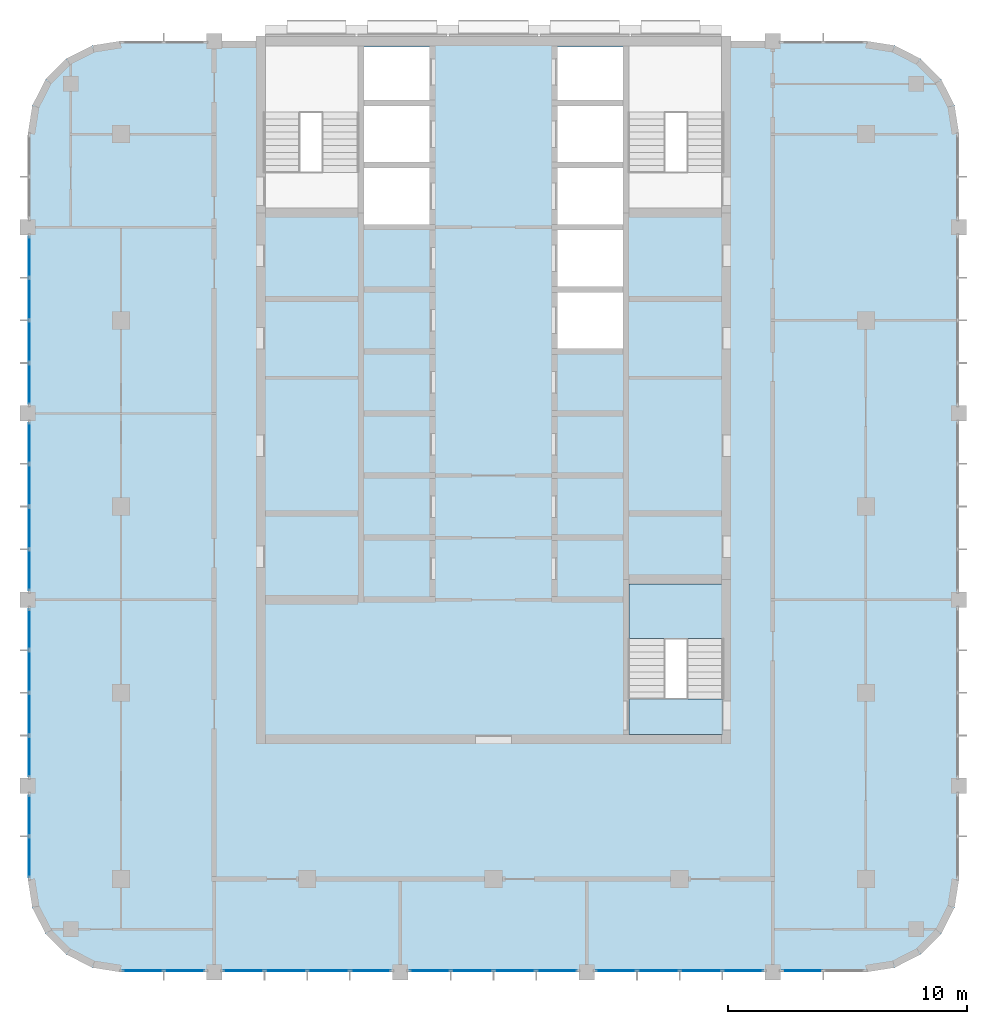
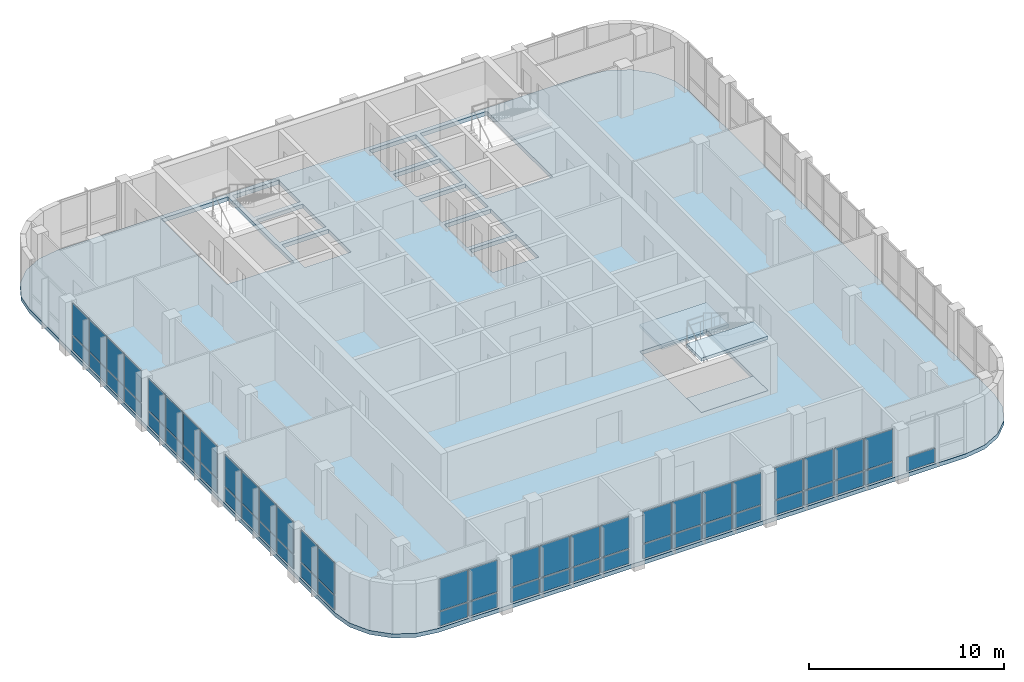
# One storey, part 7 of 17: 57 plates, 4 slabs, 10 elements without a shape of their own.
"""IFC4 building model written with IfcOpenShell, lengths in metres."""

from ifc_helpers import new_model, si_unit, direction, frame, origin, origin_2d, place, context, subcontext, project, spatial, polyline, rectangle, outline, extrude, material, layer, layer_set, type_object, element, aggregate, save


model = new_model("IFC4")

# Units and contexts
model_context = context("Model", 3, precision=1e-05, world=origin(), true_north=direction((0.0, 1.0)))
body_context = subcontext(model_context, "Body", "Model", "MODEL_VIEW")
ifc_project = project(units=[si_unit("LENGTHUNIT", "METRE"), si_unit("AREAUNIT", "SQUARE_METRE"), si_unit("VOLUMEUNIT", "CUBIC_METRE"), si_unit("PLANEANGLEUNIT", "RADIAN"), si_unit("MASSUNIT", "GRAM", prefix="KILO")], contexts=[model_context])

# Site, building, storey
site_placement = place(None, origin())
site = spatial("IfcSite", under=ifc_project, at=site_placement, CompositionType="ELEMENT")
building_placement = place(site_placement, origin())
building = spatial("IfcBuilding", under=site, at=building_placement, Name="Ludao Terraces", CompositionType="ELEMENT")
storey_placement = place(building_placement, frame((0.0, 0.0, 263.0)))
storey = spatial("IfcBuildingStorey", under=building, at=storey_placement, Name="L72", CompositionType="ELEMENT", Elevation=263.0)

# Curtain wall, plates
ifc_material_1 = material(Name="Aluminium curtain wall with fritted glass", Category="aluminium")
curtain_wall_type = type_object("IfcCurtainWallType", Name="ENV CW4 lounge glazing", PredefinedType="NOTDEFINED", material=ifc_material_1)
curtain_wall_1_placement = place(storey_placement, origin())
curtain_wall_1 = element("IfcCurtainWall", 1, at=curtain_wall_1_placement, inside=storey, type_object=curtain_wall_type, Name="Sky lounge glazing L72 S1", PredefinedType="NOTDEFINED")
ifc_material_2 = material(Name="Fritted glass panel", Category="glass")
ifc_layer_1 = layer(ifc_material_2, 0.035888671875)
ifc_layer_set_1 = layer_set([ifc_layer_1], Name="ENV CW4 glass panel")
plate_type = type_object("IfcPlateType", Name="ENV CW4 glass panel", PredefinedType="CURTAIN_PANEL", material=ifc_layer_set_1)
plate_1_placement = place(storey_placement, frame((70.313720703125, 45.56005859375, 0.080078125), z_axis=(0.0, 0.0, 1.0), x_axis=(1.0, 0.0, 0.0)))
plate_1 = element("IfcPlate", 2, at=plate_1_placement, type_object=plate_type, Name="CW4 panel 1.1", PredefinedType="CURTAIN_PANEL", context=body_context, shape_type="SweptSolid", body=[
    extrude(rectangle(XDim=1.66748046875, YDim=0.035888671875, at=origin_2d()), origin(), (0.0, 0.0, 1.0), 0.8798828125),
])
plate_2_placement = place(storey_placement, frame((70.313720703125, 45.56005859375, 1.0400390625), z_axis=(0.0, 0.0, 1.0), x_axis=(1.0, 0.0, 0.0)))
plate_2 = element("IfcPlate", 3, at=plate_2_placement, type_object=plate_type, Name="CW4 panel 1.2", PredefinedType="CURTAIN_PANEL", context=body_context, shape_type="SweptSolid", body=[
    extrude(rectangle(XDim=1.66748046875, YDim=0.035888671875, at=origin_2d()), origin(), (0.0, 0.0, 1.0), 1.97998046875),
])
plate_3_placement = place(storey_placement, frame((72.061279296875, 45.56005859375, 0.080078125), z_axis=(0.0, 0.0, 1.0), x_axis=(1.0, 0.0, 0.0)))
plate_3 = element("IfcPlate", 4, at=plate_3_placement, type_object=plate_type, Name="CW4 panel 2.1", PredefinedType="CURTAIN_PANEL", context=body_context, shape_type="SweptSolid", body=[
    extrude(rectangle(XDim=1.66748046875, YDim=0.035888671875, at=origin_2d()), origin(), (0.0, 0.0, 1.0), 0.8798828125),
])
plate_4_placement = place(storey_placement, frame((72.061279296875, 45.56005859375, 1.0400390625), z_axis=(0.0, 0.0, 1.0), x_axis=(1.0, 0.0, 0.0)))
plate_4 = element("IfcPlate", 5, at=plate_4_placement, type_object=plate_type, Name="CW4 panel 2.2", PredefinedType="CURTAIN_PANEL", context=body_context, shape_type="SweptSolid", body=[
    extrude(rectangle(XDim=1.66748046875, YDim=0.035888671875, at=origin_2d()), origin(), (0.0, 0.0, 1.0), 1.97998046875),
])
aggregate(curtain_wall_1, [plate_1, plate_2, plate_3, plate_4])

curtain_wall_2_placement = place(storey_placement, origin())
curtain_wall_2 = element("IfcCurtainWall", 6, at=curtain_wall_2_placement, inside=storey, type_object=curtain_wall_type, Name="Sky lounge glazing L72 S2", PredefinedType="NOTDEFINED")
plate_5_placement = place(storey_placement, frame((74.538818359375, 45.56005859375, 0.080078125), z_axis=(0.0, 0.0, 1.0), x_axis=(1.0, 0.0, 0.0)))
plate_5 = element("IfcPlate", 7, at=plate_5_placement, type_object=plate_type, Name="CW4 panel 1.1", PredefinedType="CURTAIN_PANEL", context=body_context, shape_type="SweptSolid", body=[
    extrude(rectangle(XDim=1.66748046875, YDim=0.035888671875, at=origin_2d()), origin(), (0.0, 0.0, 1.0), 0.8798828125),
])
plate_6_placement = place(storey_placement, frame((74.538818359375, 45.56005859375, 1.0400390625), z_axis=(0.0, 0.0, 1.0), x_axis=(1.0, 0.0, 0.0)))
plate_6 = element("IfcPlate", 8, at=plate_6_placement, type_object=plate_type, Name="CW4 panel 1.2", PredefinedType="CURTAIN_PANEL", context=body_context, shape_type="SweptSolid", body=[
    extrude(rectangle(XDim=1.66748046875, YDim=0.035888671875, at=origin_2d()), origin(), (0.0, 0.0, 1.0), 1.97998046875),
])
plate_7_placement = place(storey_placement, frame((76.30615234375, 45.56005859375, 0.080078125), z_axis=(0.0, 0.0, 1.0), x_axis=(1.0, 0.0, 0.0)))
plate_7 = element("IfcPlate", 9, at=plate_7_placement, type_object=plate_type, Name="CW4 panel 2.1", PredefinedType="CURTAIN_PANEL", context=body_context, shape_type="SweptSolid", body=[
    extrude(rectangle(XDim=1.70751953125, YDim=0.035888671875, at=origin_2d()), origin(), (0.0, 0.0, 1.0), 0.8798828125),
])
plate_8_placement = place(storey_placement, frame((76.30615234375, 45.56005859375, 1.0400390625), z_axis=(0.0, 0.0, 1.0), x_axis=(1.0, 0.0, 0.0)))
plate_8 = element("IfcPlate", 10, at=plate_8_placement, type_object=plate_type, Name="CW4 panel 2.2", PredefinedType="CURTAIN_PANEL", context=body_context, shape_type="SweptSolid", body=[
    extrude(rectangle(XDim=1.70751953125, YDim=0.035888671875, at=origin_2d()), origin(), (0.0, 0.0, 1.0), 1.97998046875),
])
plate_9_placement = place(storey_placement, frame((78.09375, 45.56005859375, 0.080078125), z_axis=(0.0, 0.0, 1.0), x_axis=(1.0, 0.0, 0.0)))
plate_9 = element("IfcPlate", 11, at=plate_9_placement, type_object=plate_type, Name="CW4 panel 3.1", PredefinedType="CURTAIN_PANEL", context=body_context, shape_type="SweptSolid", body=[
    extrude(rectangle(XDim=1.70751953125, YDim=0.035888671875, at=origin_2d()), origin(), (0.0, 0.0, 1.0), 0.8798828125),
])
plate_10_placement = place(storey_placement, frame((78.09375, 45.56005859375, 1.0400390625), z_axis=(0.0, 0.0, 1.0), x_axis=(1.0, 0.0, 0.0)))
plate_10 = element("IfcPlate", 12, at=plate_10_placement, type_object=plate_type, Name="CW4 panel 3.2", PredefinedType="CURTAIN_PANEL", context=body_context, shape_type="SweptSolid", body=[
    extrude(rectangle(XDim=1.70751953125, YDim=0.035888671875, at=origin_2d()), origin(), (0.0, 0.0, 1.0), 1.97998046875),
])
plate_11_placement = place(storey_placement, frame((79.861328125, 45.56005859375, 0.080078125), z_axis=(0.0, 0.0, 1.0), x_axis=(1.0, 0.0, 0.0)))
plate_11 = element("IfcPlate", 13, at=plate_11_placement, type_object=plate_type, Name="CW4 panel 4.1", PredefinedType="CURTAIN_PANEL", context=body_context, shape_type="SweptSolid", body=[
    extrude(rectangle(XDim=1.66748046875, YDim=0.035888671875, at=origin_2d()), origin(), (0.0, 0.0, 1.0), 0.8798828125),
])
plate_12_placement = place(storey_placement, frame((79.861328125, 45.56005859375, 1.0400390625), z_axis=(0.0, 0.0, 1.0), x_axis=(1.0, 0.0, 0.0)))
plate_12 = element("IfcPlate", 14, at=plate_12_placement, type_object=plate_type, Name="CW4 panel 4.2", PredefinedType="CURTAIN_PANEL", context=body_context, shape_type="SweptSolid", body=[
    extrude(rectangle(XDim=1.66748046875, YDim=0.035888671875, at=origin_2d()), origin(), (0.0, 0.0, 1.0), 1.97998046875),
])
aggregate(curtain_wall_2, [plate_5, plate_6, plate_7, plate_8, plate_9, plate_10, plate_11, plate_12])

curtain_wall_3_placement = place(storey_placement, origin())
curtain_wall_3 = element("IfcCurtainWall", 15, at=curtain_wall_3_placement, inside=storey, type_object=curtain_wall_type, Name="Sky lounge glazing L72 S3", PredefinedType="NOTDEFINED")
plate_13_placement = place(storey_placement, frame((82.3388671875, 45.56005859375, 0.080078125), z_axis=(0.0, 0.0, 1.0), x_axis=(1.0, 0.0, 0.0)))
plate_13 = element("IfcPlate", 16, at=plate_13_placement, type_object=plate_type, Name="CW4 panel 1.1", PredefinedType="CURTAIN_PANEL", context=body_context, shape_type="SweptSolid", body=[
    extrude(rectangle(XDim=1.66748046875, YDim=0.035888671875, at=origin_2d()), origin(), (0.0, 0.0, 1.0), 0.8798828125),
])
plate_14_placement = place(storey_placement, frame((82.3388671875, 45.56005859375, 1.0400390625), z_axis=(0.0, 0.0, 1.0), x_axis=(1.0, 0.0, 0.0)))
plate_14 = element("IfcPlate", 17, at=plate_14_placement, type_object=plate_type, Name="CW4 panel 1.2", PredefinedType="CURTAIN_PANEL", context=body_context, shape_type="SweptSolid", body=[
    extrude(rectangle(XDim=1.66748046875, YDim=0.035888671875, at=origin_2d()), origin(), (0.0, 0.0, 1.0), 1.97998046875),
])
plate_15_placement = place(storey_placement, frame((84.106201171875, 45.56005859375, 0.080078125), z_axis=(0.0, 0.0, 1.0), x_axis=(1.0, 0.0, 0.0)))
plate_15 = element("IfcPlate", 18, at=plate_15_placement, type_object=plate_type, Name="CW4 panel 2.1", PredefinedType="CURTAIN_PANEL", context=body_context, shape_type="SweptSolid", body=[
    extrude(rectangle(XDim=1.70751953125, YDim=0.035888671875, at=origin_2d()), origin(), (0.0, 0.0, 1.0), 0.8798828125),
])
plate_16_placement = place(storey_placement, frame((84.106201171875, 45.56005859375, 1.0400390625), z_axis=(0.0, 0.0, 1.0), x_axis=(1.0, 0.0, 0.0)))
plate_16 = element("IfcPlate", 19, at=plate_16_placement, type_object=plate_type, Name="CW4 panel 2.2", PredefinedType="CURTAIN_PANEL", context=body_context, shape_type="SweptSolid", body=[
    extrude(rectangle(XDim=1.70751953125, YDim=0.035888671875, at=origin_2d()), origin(), (0.0, 0.0, 1.0), 1.97998046875),
])
plate_17_placement = place(storey_placement, frame((85.893798828125, 45.56005859375, 0.080078125), z_axis=(0.0, 0.0, 1.0), x_axis=(1.0, 0.0, 0.0)))
plate_17 = element("IfcPlate", 20, at=plate_17_placement, type_object=plate_type, Name="CW4 panel 3.1", PredefinedType="CURTAIN_PANEL", context=body_context, shape_type="SweptSolid", body=[
    extrude(rectangle(XDim=1.70751953125, YDim=0.035888671875, at=origin_2d()), origin(), (0.0, 0.0, 1.0), 0.8798828125),
])
plate_18_placement = place(storey_placement, frame((85.893798828125, 45.56005859375, 1.0400390625), z_axis=(0.0, 0.0, 1.0), x_axis=(1.0, 0.0, 0.0)))
plate_18 = element("IfcPlate", 21, at=plate_18_placement, type_object=plate_type, Name="CW4 panel 3.2", PredefinedType="CURTAIN_PANEL", context=body_context, shape_type="SweptSolid", body=[
    extrude(rectangle(XDim=1.70751953125, YDim=0.035888671875, at=origin_2d()), origin(), (0.0, 0.0, 1.0), 1.97998046875),
])
plate_19_placement = place(storey_placement, frame((87.6611328125, 45.56005859375, 0.080078125), z_axis=(0.0, 0.0, 1.0), x_axis=(1.0, 0.0, 0.0)))
plate_19 = element("IfcPlate", 22, at=plate_19_placement, type_object=plate_type, Name="CW4 panel 4.1", PredefinedType="CURTAIN_PANEL", context=body_context, shape_type="SweptSolid", body=[
    extrude(rectangle(XDim=1.66748046875, YDim=0.035888671875, at=origin_2d()), origin(), (0.0, 0.0, 1.0), 0.8798828125),
])
plate_20_placement = place(storey_placement, frame((87.6611328125, 45.56005859375, 1.0400390625), z_axis=(0.0, 0.0, 1.0), x_axis=(1.0, 0.0, 0.0)))
plate_20 = element("IfcPlate", 23, at=plate_20_placement, type_object=plate_type, Name="CW4 panel 4.2", PredefinedType="CURTAIN_PANEL", context=body_context, shape_type="SweptSolid", body=[
    extrude(rectangle(XDim=1.66748046875, YDim=0.035888671875, at=origin_2d()), origin(), (0.0, 0.0, 1.0), 1.97998046875),
])
aggregate(curtain_wall_3, [plate_13, plate_14, plate_15, plate_16, plate_17, plate_18, plate_19, plate_20])

curtain_wall_4_placement = place(storey_placement, origin())
curtain_wall_4 = element("IfcCurtainWall", 24, at=curtain_wall_4_placement, inside=storey, type_object=curtain_wall_type, Name="Sky lounge glazing L72 S4", PredefinedType="NOTDEFINED")
plate_21_placement = place(storey_placement, frame((90.138671875, 45.56005859375, 0.080078125), z_axis=(0.0, 0.0, 1.0), x_axis=(1.0, 0.0, 0.0)))
plate_21 = element("IfcPlate", 25, at=plate_21_placement, type_object=plate_type, Name="CW4 panel 1.1", PredefinedType="CURTAIN_PANEL", context=body_context, shape_type="SweptSolid", body=[
    extrude(rectangle(XDim=1.66748046875, YDim=0.035888671875, at=origin_2d()), origin(), (0.0, 0.0, 1.0), 0.8798828125),
])
plate_22_placement = place(storey_placement, frame((90.138671875, 45.56005859375, 1.0400390625), z_axis=(0.0, 0.0, 1.0), x_axis=(1.0, 0.0, 0.0)))
plate_22 = element("IfcPlate", 26, at=plate_22_placement, type_object=plate_type, Name="CW4 panel 1.2", PredefinedType="CURTAIN_PANEL", context=body_context, shape_type="SweptSolid", body=[
    extrude(rectangle(XDim=1.66748046875, YDim=0.035888671875, at=origin_2d()), origin(), (0.0, 0.0, 1.0), 1.97998046875),
])
plate_23_placement = place(storey_placement, frame((91.90625, 45.56005859375, 0.080078125), z_axis=(0.0, 0.0, 1.0), x_axis=(1.0, 0.0, 0.0)))
plate_23 = element("IfcPlate", 27, at=plate_23_placement, type_object=plate_type, Name="CW4 panel 2.1", PredefinedType="CURTAIN_PANEL", context=body_context, shape_type="SweptSolid", body=[
    extrude(rectangle(XDim=1.70751953125, YDim=0.035888671875, at=origin_2d()), origin(), (0.0, 0.0, 1.0), 0.8798828125),
])
plate_24_placement = place(storey_placement, frame((91.90625, 45.56005859375, 1.0400390625), z_axis=(0.0, 0.0, 1.0), x_axis=(1.0, 0.0, 0.0)))
plate_24 = element("IfcPlate", 28, at=plate_24_placement, type_object=plate_type, Name="CW4 panel 2.2", PredefinedType="CURTAIN_PANEL", context=body_context, shape_type="SweptSolid", body=[
    extrude(rectangle(XDim=1.70751953125, YDim=0.035888671875, at=origin_2d()), origin(), (0.0, 0.0, 1.0), 1.97998046875),
])
plate_25_placement = place(storey_placement, frame((93.69384765625, 45.56005859375, 0.080078125), z_axis=(0.0, 0.0, 1.0), x_axis=(1.0, 0.0, 0.0)))
plate_25 = element("IfcPlate", 29, at=plate_25_placement, type_object=plate_type, Name="CW4 panel 3.1", PredefinedType="CURTAIN_PANEL", context=body_context, shape_type="SweptSolid", body=[
    extrude(rectangle(XDim=1.70751953125, YDim=0.035888671875, at=origin_2d()), origin(), (0.0, 0.0, 1.0), 0.8798828125),
])
plate_26_placement = place(storey_placement, frame((93.69384765625, 45.56005859375, 1.0400390625), z_axis=(0.0, 0.0, 1.0), x_axis=(1.0, 0.0, 0.0)))
plate_26 = element("IfcPlate", 30, at=plate_26_placement, type_object=plate_type, Name="CW4 panel 3.2", PredefinedType="CURTAIN_PANEL", context=body_context, shape_type="SweptSolid", body=[
    extrude(rectangle(XDim=1.70751953125, YDim=0.035888671875, at=origin_2d()), origin(), (0.0, 0.0, 1.0), 1.97998046875),
])
plate_27_placement = place(storey_placement, frame((95.461181640625, 45.56005859375, 0.080078125), z_axis=(0.0, 0.0, 1.0), x_axis=(1.0, 0.0, 0.0)))
plate_27 = element("IfcPlate", 31, at=plate_27_placement, type_object=plate_type, Name="CW4 panel 4.1", PredefinedType="CURTAIN_PANEL", context=body_context, shape_type="SweptSolid", body=[
    extrude(rectangle(XDim=1.66748046875, YDim=0.035888671875, at=origin_2d()), origin(), (0.0, 0.0, 1.0), 0.8798828125),
])
plate_28_placement = place(storey_placement, frame((95.461181640625, 45.56005859375, 1.0400390625), z_axis=(0.0, 0.0, 1.0), x_axis=(1.0, 0.0, 0.0)))
plate_28 = element("IfcPlate", 32, at=plate_28_placement, type_object=plate_type, Name="CW4 panel 4.2", PredefinedType="CURTAIN_PANEL", context=body_context, shape_type="SweptSolid", body=[
    extrude(rectangle(XDim=1.66748046875, YDim=0.035888671875, at=origin_2d()), origin(), (0.0, 0.0, 1.0), 1.97998046875),
])
aggregate(curtain_wall_4, [plate_21, plate_22, plate_23, plate_24, plate_25, plate_26, plate_27, plate_28])

# Curtain wall, plate
curtain_wall_5_placement = place(storey_placement, origin())
curtain_wall_5 = element("IfcCurtainWall", 33, at=curtain_wall_5_placement, inside=storey, type_object=curtain_wall_type, Name="Sky lounge glazing L72 S5", PredefinedType="NOTDEFINED")
plate_29_placement = place(storey_placement, frame((97.938720703125, 45.56005859375, 0.080078125), z_axis=(0.0, 0.0, 1.0), x_axis=(1.0, 0.0, 0.0)))
plate_29 = element("IfcPlate", 34, at=plate_29_placement, type_object=plate_type, Name="CW4 panel 1.1", PredefinedType="CURTAIN_PANEL", context=body_context, shape_type="SweptSolid", body=[
    extrude(rectangle(XDim=1.66748046875, YDim=0.035888671875, at=origin_2d()), origin(), (0.0, 0.0, 1.0), 0.8798828125),
])
aggregate(curtain_wall_5, [plate_29])

# Curtain wall, plates
curtain_wall_6_placement = place(storey_placement, origin())
curtain_wall_6 = element("IfcCurtainWall", 35, at=curtain_wall_6_placement, inside=storey, type_object=curtain_wall_type, Name="Sky lounge glazing L72 W1", PredefinedType="NOTDEFINED")
plate_30_placement = place(storey_placement, frame((65.56005859375, 50.313720703125, 0.080078125), z_axis=(0.0, 0.0, 1.0), x_axis=(0.0, 1.0, 0.0)))
plate_30 = element("IfcPlate", 36, at=plate_30_placement, type_object=plate_type, Name="CW4 panel 1.1", PredefinedType="CURTAIN_PANEL", context=body_context, shape_type="SweptSolid", body=[
    extrude(rectangle(XDim=1.66748046875, YDim=0.035888671875, at=origin_2d()), origin(), (0.0, 0.0, 1.0), 0.8798828125),
])
plate_31_placement = place(storey_placement, frame((65.56005859375, 50.313720703125, 1.0400390625), z_axis=(0.0, 0.0, 1.0), x_axis=(0.0, 1.0, 0.0)))
plate_31 = element("IfcPlate", 37, at=plate_31_placement, type_object=plate_type, Name="CW4 panel 1.2", PredefinedType="CURTAIN_PANEL", context=body_context, shape_type="SweptSolid", body=[
    extrude(rectangle(XDim=1.66748046875, YDim=0.035888671875, at=origin_2d()), origin(), (0.0, 0.0, 1.0), 1.97998046875),
])
plate_32_placement = place(storey_placement, frame((65.56005859375, 52.061279296875, 0.080078125), z_axis=(0.0, 0.0, 1.0), x_axis=(0.0, 1.0, 0.0)))
plate_32 = element("IfcPlate", 38, at=plate_32_placement, type_object=plate_type, Name="CW4 panel 2.1", PredefinedType="CURTAIN_PANEL", context=body_context, shape_type="SweptSolid", body=[
    extrude(rectangle(XDim=1.66748046875, YDim=0.035888671875, at=origin_2d()), origin(), (0.0, 0.0, 1.0), 0.8798828125),
])
plate_33_placement = place(storey_placement, frame((65.56005859375, 52.061279296875, 1.0400390625), z_axis=(0.0, 0.0, 1.0), x_axis=(0.0, 1.0, 0.0)))
plate_33 = element("IfcPlate", 39, at=plate_33_placement, type_object=plate_type, Name="CW4 panel 2.2", PredefinedType="CURTAIN_PANEL", context=body_context, shape_type="SweptSolid", body=[
    extrude(rectangle(XDim=1.66748046875, YDim=0.035888671875, at=origin_2d()), origin(), (0.0, 0.0, 1.0), 1.97998046875),
])
aggregate(curtain_wall_6, [plate_30, plate_31, plate_32, plate_33])

curtain_wall_7_placement = place(storey_placement, origin())
curtain_wall_7 = element("IfcCurtainWall", 40, at=curtain_wall_7_placement, inside=storey, type_object=curtain_wall_type, Name="Sky lounge glazing L72 W2", PredefinedType="NOTDEFINED")
plate_34_placement = place(storey_placement, frame((65.56005859375, 54.538818359375, 0.080078125), z_axis=(0.0, 0.0, 1.0), x_axis=(0.0, 1.0, 0.0)))
plate_34 = element("IfcPlate", 41, at=plate_34_placement, type_object=plate_type, Name="CW4 panel 1.1", PredefinedType="CURTAIN_PANEL", context=body_context, shape_type="SweptSolid", body=[
    extrude(rectangle(XDim=1.66748046875, YDim=0.035888671875, at=origin_2d()), origin(), (0.0, 0.0, 1.0), 0.8798828125),
])
plate_35_placement = place(storey_placement, frame((65.56005859375, 54.538818359375, 1.0400390625), z_axis=(0.0, 0.0, 1.0), x_axis=(0.0, 1.0, 0.0)))
plate_35 = element("IfcPlate", 42, at=plate_35_placement, type_object=plate_type, Name="CW4 panel 1.2", PredefinedType="CURTAIN_PANEL", context=body_context, shape_type="SweptSolid", body=[
    extrude(rectangle(XDim=1.66748046875, YDim=0.035888671875, at=origin_2d()), origin(), (0.0, 0.0, 1.0), 1.97998046875),
])
plate_36_placement = place(storey_placement, frame((65.56005859375, 56.30615234375, 0.080078125), z_axis=(0.0, 0.0, 1.0), x_axis=(0.0, 1.0, 0.0)))
plate_36 = element("IfcPlate", 43, at=plate_36_placement, type_object=plate_type, Name="CW4 panel 2.1", PredefinedType="CURTAIN_PANEL", context=body_context, shape_type="SweptSolid", body=[
    extrude(rectangle(XDim=1.70751953125, YDim=0.035888671875, at=origin_2d()), origin(), (0.0, 0.0, 1.0), 0.8798828125),
])
plate_37_placement = place(storey_placement, frame((65.56005859375, 56.30615234375, 1.0400390625), z_axis=(0.0, 0.0, 1.0), x_axis=(0.0, 1.0, 0.0)))
plate_37 = element("IfcPlate", 44, at=plate_37_placement, type_object=plate_type, Name="CW4 panel 2.2", PredefinedType="CURTAIN_PANEL", context=body_context, shape_type="SweptSolid", body=[
    extrude(rectangle(XDim=1.70751953125, YDim=0.035888671875, at=origin_2d()), origin(), (0.0, 0.0, 1.0), 1.97998046875),
])
plate_38_placement = place(storey_placement, frame((65.56005859375, 58.09375, 0.080078125), z_axis=(0.0, 0.0, 1.0), x_axis=(0.0, 1.0, 0.0)))
plate_38 = element("IfcPlate", 45, at=plate_38_placement, type_object=plate_type, Name="CW4 panel 3.1", PredefinedType="CURTAIN_PANEL", context=body_context, shape_type="SweptSolid", body=[
    extrude(rectangle(XDim=1.70751953125, YDim=0.035888671875, at=origin_2d()), origin(), (0.0, 0.0, 1.0), 0.8798828125),
])
plate_39_placement = place(storey_placement, frame((65.56005859375, 58.09375, 1.0400390625), z_axis=(0.0, 0.0, 1.0), x_axis=(0.0, 1.0, 0.0)))
plate_39 = element("IfcPlate", 46, at=plate_39_placement, type_object=plate_type, Name="CW4 panel 3.2", PredefinedType="CURTAIN_PANEL", context=body_context, shape_type="SweptSolid", body=[
    extrude(rectangle(XDim=1.70751953125, YDim=0.035888671875, at=origin_2d()), origin(), (0.0, 0.0, 1.0), 1.97998046875),
])
plate_40_placement = place(storey_placement, frame((65.56005859375, 59.861328125, 0.080078125), z_axis=(0.0, 0.0, 1.0), x_axis=(0.0, 1.0, 0.0)))
plate_40 = element("IfcPlate", 47, at=plate_40_placement, type_object=plate_type, Name="CW4 panel 4.1", PredefinedType="CURTAIN_PANEL", context=body_context, shape_type="SweptSolid", body=[
    extrude(rectangle(XDim=1.66748046875, YDim=0.035888671875, at=origin_2d()), origin(), (0.0, 0.0, 1.0), 0.8798828125),
])
plate_41_placement = place(storey_placement, frame((65.56005859375, 59.861328125, 1.0400390625), z_axis=(0.0, 0.0, 1.0), x_axis=(0.0, 1.0, 0.0)))
plate_41 = element("IfcPlate", 48, at=plate_41_placement, type_object=plate_type, Name="CW4 panel 4.2", PredefinedType="CURTAIN_PANEL", context=body_context, shape_type="SweptSolid", body=[
    extrude(rectangle(XDim=1.66748046875, YDim=0.035888671875, at=origin_2d()), origin(), (0.0, 0.0, 1.0), 1.97998046875),
])
aggregate(curtain_wall_7, [plate_34, plate_35, plate_36, plate_37, plate_38, plate_39, plate_40, plate_41])

curtain_wall_8_placement = place(storey_placement, origin())
curtain_wall_8 = element("IfcCurtainWall", 49, at=curtain_wall_8_placement, inside=storey, type_object=curtain_wall_type, Name="Sky lounge glazing L72 W3", PredefinedType="NOTDEFINED")
plate_42_placement = place(storey_placement, frame((65.56005859375, 62.3388671875, 0.080078125), z_axis=(0.0, 0.0, 1.0), x_axis=(0.0, 1.0, 0.0)))
plate_42 = element("IfcPlate", 50, at=plate_42_placement, type_object=plate_type, Name="CW4 panel 1.1", PredefinedType="CURTAIN_PANEL", context=body_context, shape_type="SweptSolid", body=[
    extrude(rectangle(XDim=1.66748046875, YDim=0.035888671875, at=origin_2d()), origin(), (0.0, 0.0, 1.0), 0.8798828125),
])
plate_43_placement = place(storey_placement, frame((65.56005859375, 62.3388671875, 1.0400390625), z_axis=(0.0, 0.0, 1.0), x_axis=(0.0, 1.0, 0.0)))
plate_43 = element("IfcPlate", 51, at=plate_43_placement, type_object=plate_type, Name="CW4 panel 1.2", PredefinedType="CURTAIN_PANEL", context=body_context, shape_type="SweptSolid", body=[
    extrude(rectangle(XDim=1.66748046875, YDim=0.035888671875, at=origin_2d()), origin(), (0.0, 0.0, 1.0), 1.97998046875),
])
plate_44_placement = place(storey_placement, frame((65.56005859375, 64.106201171875, 0.080078125), z_axis=(0.0, 0.0, 1.0), x_axis=(0.0, 1.0, 0.0)))
plate_44 = element("IfcPlate", 52, at=plate_44_placement, type_object=plate_type, Name="CW4 panel 2.1", PredefinedType="CURTAIN_PANEL", context=body_context, shape_type="SweptSolid", body=[
    extrude(rectangle(XDim=1.70751953125, YDim=0.035888671875, at=origin_2d()), origin(), (0.0, 0.0, 1.0), 0.8798828125),
])
plate_45_placement = place(storey_placement, frame((65.56005859375, 64.106201171875, 1.0400390625), z_axis=(0.0, 0.0, 1.0), x_axis=(0.0, 1.0, 0.0)))
plate_45 = element("IfcPlate", 53, at=plate_45_placement, type_object=plate_type, Name="CW4 panel 2.2", PredefinedType="CURTAIN_PANEL", context=body_context, shape_type="SweptSolid", body=[
    extrude(rectangle(XDim=1.70751953125, YDim=0.035888671875, at=origin_2d()), origin(), (0.0, 0.0, 1.0), 1.97998046875),
])
plate_46_placement = place(storey_placement, frame((65.56005859375, 65.893798828125, 0.080078125), z_axis=(0.0, 0.0, 1.0), x_axis=(0.0, 1.0, 0.0)))
plate_46 = element("IfcPlate", 54, at=plate_46_placement, type_object=plate_type, Name="CW4 panel 3.1", PredefinedType="CURTAIN_PANEL", context=body_context, shape_type="SweptSolid", body=[
    extrude(rectangle(XDim=1.70751953125, YDim=0.035888671875, at=origin_2d()), origin(), (0.0, 0.0, 1.0), 0.8798828125),
])
plate_47_placement = place(storey_placement, frame((65.56005859375, 65.893798828125, 1.0400390625), z_axis=(0.0, 0.0, 1.0), x_axis=(0.0, 1.0, 0.0)))
plate_47 = element("IfcPlate", 55, at=plate_47_placement, type_object=plate_type, Name="CW4 panel 3.2", PredefinedType="CURTAIN_PANEL", context=body_context, shape_type="SweptSolid", body=[
    extrude(rectangle(XDim=1.70751953125, YDim=0.035888671875, at=origin_2d()), origin(), (0.0, 0.0, 1.0), 1.97998046875),
])
plate_48_placement = place(storey_placement, frame((65.56005859375, 67.6611328125, 0.080078125), z_axis=(0.0, 0.0, 1.0), x_axis=(0.0, 1.0, 0.0)))
plate_48 = element("IfcPlate", 56, at=plate_48_placement, type_object=plate_type, Name="CW4 panel 4.1", PredefinedType="CURTAIN_PANEL", context=body_context, shape_type="SweptSolid", body=[
    extrude(rectangle(XDim=1.66748046875, YDim=0.035888671875, at=origin_2d()), origin(), (0.0, 0.0, 1.0), 0.8798828125),
])
plate_49_placement = place(storey_placement, frame((65.56005859375, 67.6611328125, 1.0400390625), z_axis=(0.0, 0.0, 1.0), x_axis=(0.0, 1.0, 0.0)))
plate_49 = element("IfcPlate", 57, at=plate_49_placement, type_object=plate_type, Name="CW4 panel 4.2", PredefinedType="CURTAIN_PANEL", context=body_context, shape_type="SweptSolid", body=[
    extrude(rectangle(XDim=1.66748046875, YDim=0.035888671875, at=origin_2d()), origin(), (0.0, 0.0, 1.0), 1.97998046875),
])
aggregate(curtain_wall_8, [plate_42, plate_43, plate_44, plate_45, plate_46, plate_47, plate_48, plate_49])

curtain_wall_9_placement = place(storey_placement, origin())
curtain_wall_9 = element("IfcCurtainWall", 58, at=curtain_wall_9_placement, inside=storey, type_object=curtain_wall_type, Name="Sky lounge glazing L72 W4", PredefinedType="NOTDEFINED")
plate_50_placement = place(storey_placement, frame((65.56005859375, 70.138671875, 0.080078125), z_axis=(0.0, 0.0, 1.0), x_axis=(0.0, 1.0, 0.0)))
plate_50 = element("IfcPlate", 59, at=plate_50_placement, type_object=plate_type, Name="CW4 panel 1.1", PredefinedType="CURTAIN_PANEL", context=body_context, shape_type="SweptSolid", body=[
    extrude(rectangle(XDim=1.66748046875, YDim=0.035888671875, at=origin_2d()), origin(), (0.0, 0.0, 1.0), 0.8798828125),
])
plate_51_placement = place(storey_placement, frame((65.56005859375, 70.138671875, 1.0400390625), z_axis=(0.0, 0.0, 1.0), x_axis=(0.0, 1.0, 0.0)))
plate_51 = element("IfcPlate", 60, at=plate_51_placement, type_object=plate_type, Name="CW4 panel 1.2", PredefinedType="CURTAIN_PANEL", context=body_context, shape_type="SweptSolid", body=[
    extrude(rectangle(XDim=1.66748046875, YDim=0.035888671875, at=origin_2d()), origin(), (0.0, 0.0, 1.0), 1.97998046875),
])
plate_52_placement = place(storey_placement, frame((65.56005859375, 71.90625, 0.080078125), z_axis=(0.0, 0.0, 1.0), x_axis=(0.0, 1.0, 0.0)))
plate_52 = element("IfcPlate", 61, at=plate_52_placement, type_object=plate_type, Name="CW4 panel 2.1", PredefinedType="CURTAIN_PANEL", context=body_context, shape_type="SweptSolid", body=[
    extrude(rectangle(XDim=1.70751953125, YDim=0.035888671875, at=origin_2d()), origin(), (0.0, 0.0, 1.0), 0.8798828125),
])
plate_53_placement = place(storey_placement, frame((65.56005859375, 71.90625, 1.0400390625), z_axis=(0.0, 0.0, 1.0), x_axis=(0.0, 1.0, 0.0)))
plate_53 = element("IfcPlate", 62, at=plate_53_placement, type_object=plate_type, Name="CW4 panel 2.2", PredefinedType="CURTAIN_PANEL", context=body_context, shape_type="SweptSolid", body=[
    extrude(rectangle(XDim=1.70751953125, YDim=0.035888671875, at=origin_2d()), origin(), (0.0, 0.0, 1.0), 1.97998046875),
])
plate_54_placement = place(storey_placement, frame((65.56005859375, 73.69384765625, 0.080078125), z_axis=(0.0, 0.0, 1.0), x_axis=(0.0, 1.0, 0.0)))
plate_54 = element("IfcPlate", 63, at=plate_54_placement, type_object=plate_type, Name="CW4 panel 3.1", PredefinedType="CURTAIN_PANEL", context=body_context, shape_type="SweptSolid", body=[
    extrude(rectangle(XDim=1.70751953125, YDim=0.035888671875, at=origin_2d()), origin(), (0.0, 0.0, 1.0), 0.8798828125),
])
plate_55_placement = place(storey_placement, frame((65.56005859375, 73.69384765625, 1.0400390625), z_axis=(0.0, 0.0, 1.0), x_axis=(0.0, 1.0, 0.0)))
plate_55 = element("IfcPlate", 64, at=plate_55_placement, type_object=plate_type, Name="CW4 panel 3.2", PredefinedType="CURTAIN_PANEL", context=body_context, shape_type="SweptSolid", body=[
    extrude(rectangle(XDim=1.70751953125, YDim=0.035888671875, at=origin_2d()), origin(), (0.0, 0.0, 1.0), 1.97998046875),
])
plate_56_placement = place(storey_placement, frame((65.56005859375, 75.461181640625, 0.080078125), z_axis=(0.0, 0.0, 1.0), x_axis=(0.0, 1.0, 0.0)))
plate_56 = element("IfcPlate", 65, at=plate_56_placement, type_object=plate_type, Name="CW4 panel 4.1", PredefinedType="CURTAIN_PANEL", context=body_context, shape_type="SweptSolid", body=[
    extrude(rectangle(XDim=1.66748046875, YDim=0.035888671875, at=origin_2d()), origin(), (0.0, 0.0, 1.0), 0.8798828125),
])
plate_57_placement = place(storey_placement, frame((65.56005859375, 75.461181640625, 1.0400390625), z_axis=(0.0, 0.0, 1.0), x_axis=(0.0, 1.0, 0.0)))
plate_57 = element("IfcPlate", 66, at=plate_57_placement, type_object=plate_type, Name="CW4 panel 4.2", PredefinedType="CURTAIN_PANEL", context=body_context, shape_type="SweptSolid", body=[
    extrude(rectangle(XDim=1.66748046875, YDim=0.035888671875, at=origin_2d()), origin(), (0.0, 0.0, 1.0), 1.97998046875),
])
aggregate(curtain_wall_9, [plate_50, plate_51, plate_52, plate_53, plate_54, plate_55, plate_56, plate_57])

# Slab
ifc_material_3 = material(Name="Concrete C40", Category="concrete")
ifc_layer_2 = layer(ifc_material_3, 0.25)
ifc_layer_set_2 = layer_set([ifc_layer_2], Name="Floor slab 250 C40")
slab_type_1 = type_object("IfcSlabType", Name="Floor slab 250 C40", PredefinedType="FLOOR", material=ifc_layer_set_2)
slab_1_placement = place(storey_placement, frame((0.0, 0.0, -0.25)))
element("IfcSlab", 67, at=slab_1_placement, inside=storey, type_object=slab_type_1, Name="Slab L72", PredefinedType="FLOOR", context=body_context, shape_type="SweptSolid", body=[
    extrude(outline(polyline([(100.60009765625, 45.5), (101.80517578125, 45.69091796875), (102.892333984375, 46.244873046875), (103.755126953125, 47.107666015625), (104.30908203125, 48.19482421875), (104.5, 49.39990234375), (104.5, 80.60009765625), (104.30908203125, 81.80517578125), (103.755126953125, 82.892333984375), (102.892333984375, 83.755126953125), (101.80517578125, 84.30908203125), (100.60009765625, 84.5), (69.39990234375, 84.5), (68.19482421875, 84.30908203125), (67.107666015625, 83.755126953125), (66.244873046875, 82.892333984375), (65.69091796875, 81.80517578125), (65.5, 80.60009765625), (65.5, 49.39990234375), (65.69091796875, 48.19482421875), (66.244873046875, 47.107666015625), (67.107666015625, 46.244873046875), (68.19482421875, 45.69091796875), (69.39990234375, 45.5), (100.60009765625, 45.5)]), holes=[polyline([(79.574951171875, 76.824951171875), (82.324951171875, 76.824951171875), (82.324951171875, 79.175048828125), (79.574951171875, 79.175048828125), (79.574951171875, 76.824951171875)]), polyline([(79.574951171875, 79.425048828125), (82.324951171875, 79.425048828125), (82.324951171875, 81.77490234375), (79.574951171875, 81.77490234375), (79.574951171875, 79.425048828125)]), polyline([(79.574951171875, 82.02490234375), (82.324951171875, 82.02490234375), (82.324951171875, 84.239990234375), (79.574951171875, 84.239990234375), (79.574951171875, 82.02490234375)]), polyline([(87.675048828125, 71.625), (90.425048828125, 71.625), (90.425048828125, 73.97509765625), (87.675048828125, 73.97509765625), (87.675048828125, 71.625)]), polyline([(87.675048828125, 74.22509765625), (90.425048828125, 74.22509765625), (90.425048828125, 76.574951171875), (87.675048828125, 76.574951171875), (87.675048828125, 74.22509765625)]), polyline([(87.675048828125, 76.824951171875), (90.425048828125, 76.824951171875), (90.425048828125, 79.175048828125), (87.675048828125, 79.175048828125), (87.675048828125, 76.824951171875)]), polyline([(87.675048828125, 79.425048828125), (90.425048828125, 79.425048828125), (90.425048828125, 81.77490234375), (87.675048828125, 81.77490234375), (87.675048828125, 79.425048828125)]), polyline([(87.675048828125, 82.02490234375), (90.425048828125, 82.02490234375), (90.425048828125, 84.239990234375), (87.675048828125, 84.239990234375), (87.675048828125, 82.02490234375)]), polyline([(75.375, 77.5), (79.324951171875, 77.5), (79.324951171875, 84.239990234375), (75.375, 84.239990234375), (75.375, 77.5)]), polyline([(90.675048828125, 77.5), (94.625, 77.5), (94.625, 84.239990234375), (90.675048828125, 84.239990234375), (90.675048828125, 77.5)]), polyline([(90.675048828125, 55.449951171875), (94.625, 55.449951171875), (94.625, 61.75), (90.675048828125, 61.75), (90.675048828125, 55.449951171875)])]), origin(), (0.0, 0.0, 1.0), 0.25),
])

# Stair, slabs
stair_type = type_object("IfcStairType", Name="INT Stair", PredefinedType="HALF_TURN_STAIR", material=ifc_material_3)
stair_placement = place(storey_placement, origin())
stair = element("IfcStair", 68, at=stair_placement, inside=storey, type_object=stair_type, Name="EXIT STAIR 3", PredefinedType="HALF_TURN_STAIR")
ifc_layer_3 = layer(ifc_material_3, 0.199951171875)
ifc_layer_set_3 = layer_set([ifc_layer_3], Name="INT Stair landing 200")
slab_type_2 = type_object("IfcSlabType", Name="INT Stair landing 200", PredefinedType="LANDING", material=ifc_layer_set_3)
slab_2_placement = place(storey_placement, frame((0.0, 0.0, 1.5)))
slab_2 = element("IfcSlab", 69, at=slab_2_placement, type_object=slab_type_2, Name="ST3 landing 1", PredefinedType="LANDING", context=body_context, shape_type="SweptSolid", body=[
    extrude(outline(polyline([(90.675048828125, 59.469970703125), (94.625, 59.469970703125), (94.625, 61.75), (90.675048828125, 61.75), (90.675048828125, 59.469970703125)])), origin(), (0.0, 0.0, 1.0), 0.199951171875),
])
slab_3_placement = place(storey_placement, frame((0.0, 0.0, -0.199951171875)))
slab_3 = element("IfcSlab", 70, at=slab_3_placement, type_object=slab_type_2, Name="ST3 landing 2", PredefinedType="LANDING", context=body_context, shape_type="SweptSolid", body=[
    extrude(outline(polyline([(90.675048828125, 55.449951171875), (94.625, 55.449951171875), (94.625, 56.949951171875), (90.675048828125, 56.949951171875), (90.675048828125, 55.449951171875)])), origin(), (0.0, 0.0, 1.0), 0.199951171875),
])
slab_4_placement = place(storey_placement, frame((0.0, 0.0, 3.199951171875)))
slab_4 = element("IfcSlab", 71, at=slab_4_placement, type_object=slab_type_2, Name="ST3 landing 3", PredefinedType="LANDING", context=body_context, shape_type="SweptSolid", body=[
    extrude(outline(polyline([(90.675048828125, 55.449951171875), (94.625, 55.449951171875), (94.625, 56.949951171875), (90.675048828125, 56.949951171875), (90.675048828125, 55.449951171875)])), origin(), (0.0, 0.0, 1.0), 0.199951171875),
])
aggregate(stair, [slab_2, slab_3, slab_4])

save(model, "model.ifc")
